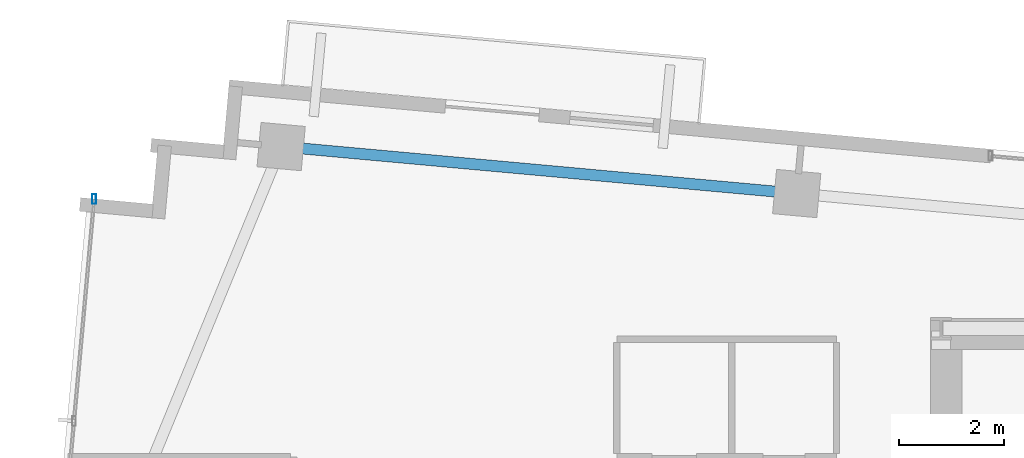
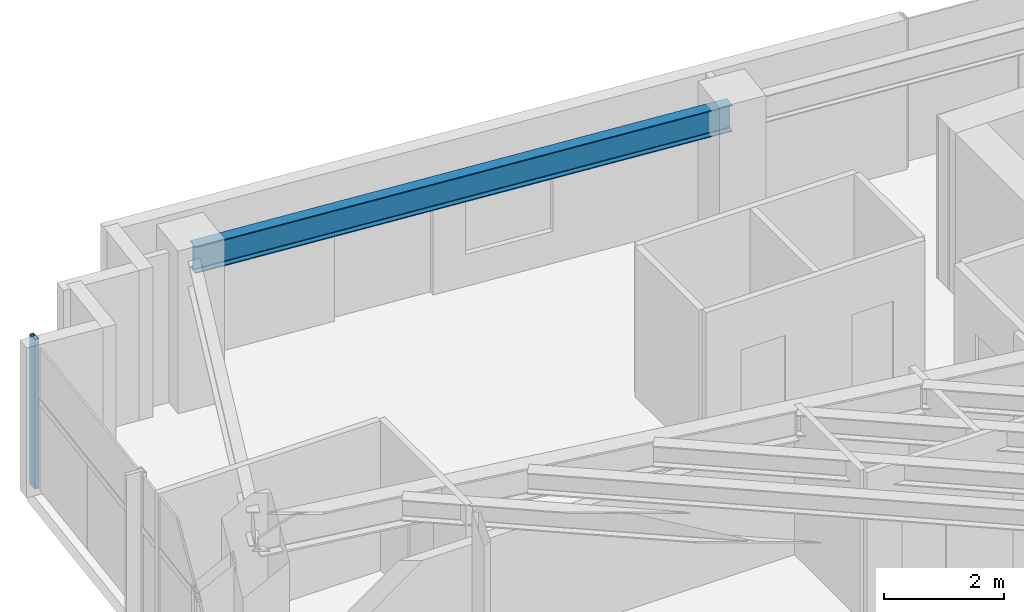
# One storey, part 9 of 22: 1 beam, 1 member, 1 element without a shape of its own.
"""IFC4 building model written with IfcOpenShell, lengths in metres."""

from ifc_helpers import new_model, si_unit, direction, frame, origin, origin_2d, place, context, subcontext, project, spatial, hollow_rectangle, i_section, extrude, source, transform, mapped, material, material_profile, profile_set, type_object, type_shapes, element, aggregate, save


model = new_model("IFC4")

# Units and contexts
model_context = context("Model", 3, precision=1e-05, world=origin(), true_north=direction((0.0, 1.0)))
body_context = subcontext(model_context, "Body", "Model", "MODEL_VIEW")
ifc_project = project(units=[si_unit("LENGTHUNIT", "METRE"), si_unit("AREAUNIT", "SQUARE_METRE"), si_unit("VOLUMEUNIT", "CUBIC_METRE"), si_unit("PLANEANGLEUNIT", "RADIAN"), si_unit("MASSUNIT", "GRAM", prefix="KILO")], contexts=[model_context])

# Site, building, storey
site_placement = place(None, origin())
site = spatial("IfcSite", under=ifc_project, at=site_placement, CompositionType="ELEMENT")
building_placement = place(site_placement, origin())
building = spatial("IfcBuilding", under=site, at=building_placement, Name="Astriad Promenade Condominiums", CompositionType="ELEMENT")
storey_placement = place(building_placement, frame((0.0, 0.0, 249.60009765625)))
storey = spatial("IfcBuildingStorey", under=building, at=storey_placement, Name="L72", CompositionType="ELEMENT", Elevation=249.60009765625)

# Beam
ifc_material_1 = material(Name="Steel ASTM A992 Grade 50", Category="steel")
ifc_material_profile_1 = material_profile(ifc_material_1, i_section(OverallWidth=0.210693359375, OverallDepth=0.53955078125, WebThickness=0.01171875, FlangeThickness=0.018798828125, FilletRadius=0.0166015625, at=origin_2d()), Name="W21X73")
ifc_profile_set_1 = profile_set([ifc_material_profile_1], Name="Steel ASTM A992 Grade 50")
beam_type = type_object("IfcBeamType", Name="STEEL SPANDREL BEAM W21X73", PredefinedType="SPANDREL", material=ifc_profile_set_1)
shared_shape_1 = source(origin(), body_context, "Body", "SweptSolid", [
    extrude(i_section(OverallWidth=0.210693359375, OverallDepth=0.53955078125, WebThickness=0.01171875, FlangeThickness=0.018798828125, FilletRadius=0.0166015625, at=origin_2d()), origin(), (0.0, 0.0, 1.0), 9.820068359375),
])
type_shapes(beam_type, [shared_shape_1])
beam_placement = place(storey_placement, frame((23.6005859375, 26.589111328125, 2.77001953125), z_axis=(-0.995883214993, 0.090645585088, 0.0), x_axis=(-0.090645585088, -0.995883214993, 0.0)))
element("IfcBeam", 1, at=beam_placement, inside=storey, type_object=beam_type, Name="Perimeter Spandrel Beam SP-N1-L72", PredefinedType="SPANDREL", context=body_context, shape_type="MappedRepresentation", body=[
    mapped(shared_shape_1, transform((0.0, 0.0, 0.0), scale=1.0)),
])

# Curtain wall, member
ifc_material_2 = material(Name="Anodised aluminium Black Dark Glass Unitised", Category="aluminium")
curtain_wall_type = type_object("IfcCurtainWallType", Name="CW-B5-DARK", PredefinedType="USERDEFINED", material=ifc_material_2)
curtain_wall_placement = place(storey_placement, origin())
curtain_wall = element("IfcCurtainWall", 2, at=curtain_wall_placement, inside=storey, type_object=curtain_wall_type, Name="CW-L72-W", ObjectType="UNITISED_CURTAIN_WALL", PredefinedType="USERDEFINED")
ifc_material_3 = material(Name="Anodised aluminium 6063-T6 Black", Category="aluminium")
ifc_material_profile_2 = material_profile(ifc_material_3, hollow_rectangle(XDim=0.074951171875, YDim=0.18505859375, WallThickness=0.00439453125, at=origin_2d()), Name="ALU-MUL-75X185")
ifc_profile_set_2 = profile_set([ifc_material_profile_2], Name="Anodised aluminium 6063-T6 Black")
member_type = type_object("IfcMemberType", Name="MUL-ALU-MUL-75X185", PredefinedType="MULLION", material=ifc_profile_set_2)
shared_shape_2 = source(origin(), body_context, "Body", "SweptSolid", [
    extrude(hollow_rectangle(XDim=0.074951171875, YDim=0.18505859375, WallThickness=0.00439453125, at=origin_2d()), origin(), (0.0, 0.0, 1.0), 3.039794921875),
])
type_shapes(member_type, [shared_shape_2])
member_placement = place(storey_placement, frame((10.205810546875, 26.482666015625, 0.0), z_axis=(0.0, 0.0, 1.0), x_axis=(1.0, 0.0, 0.0)))
member = element("IfcMember", 3, at=member_placement, type_object=member_type, Name="CW-L72-W-MUL-03", PredefinedType="MULLION", context=body_context, shape_type="MappedRepresentation", body=[
    mapped(shared_shape_2, transform((0.0, 0.0, 0.0), scale=1.0)),
])
aggregate(curtain_wall, [member])

save(model, "model.ifc")
